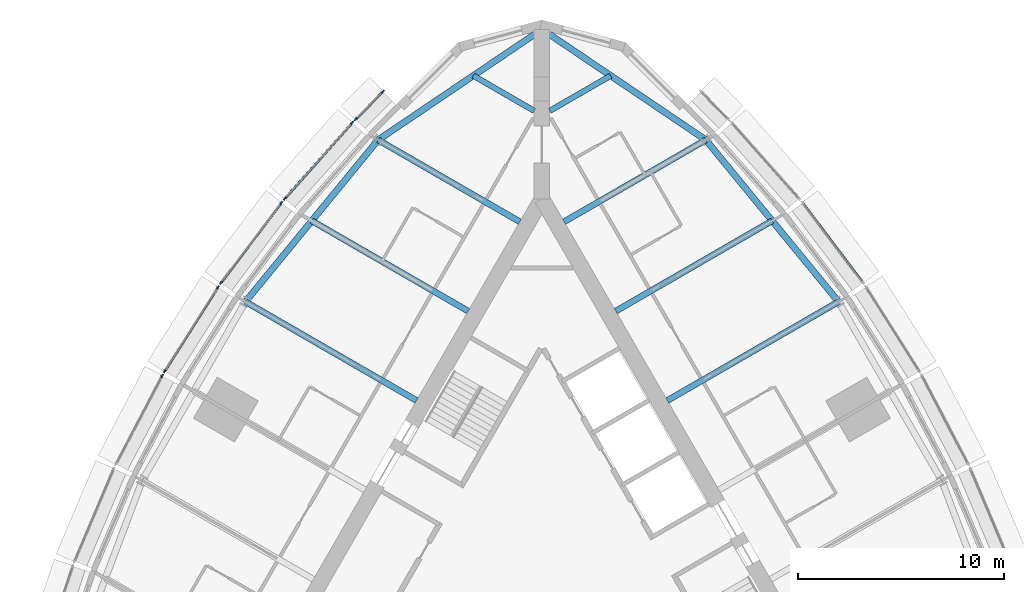
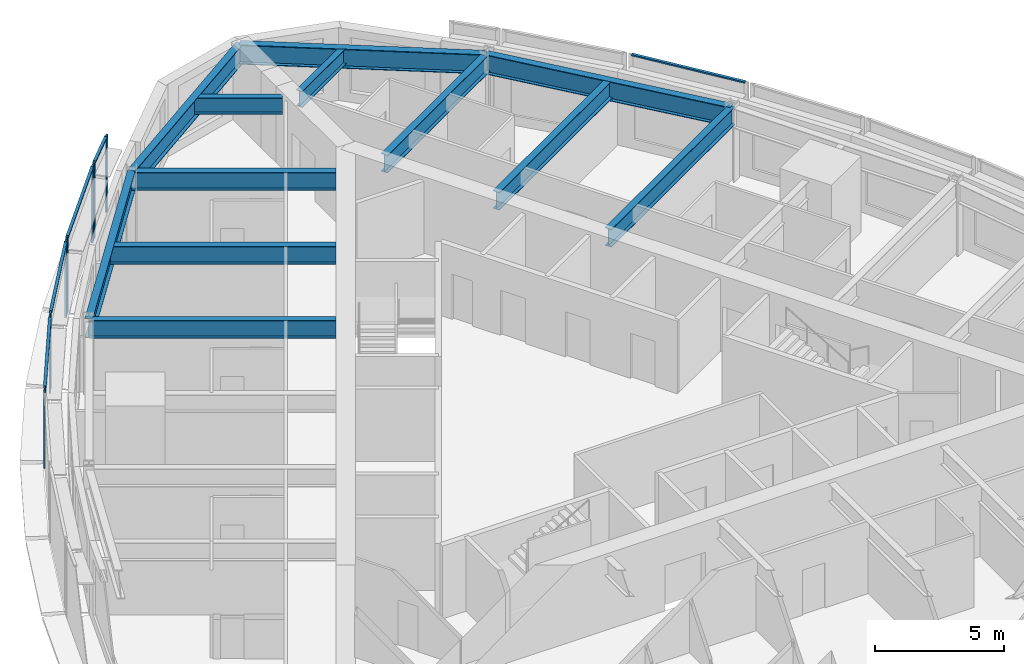
# One storey, part 5 of 15: 14 members, 12 beams, 6 elements without a shape of their own.
"""IFC4 building model written with IfcOpenShell, lengths in metres."""

from ifc_helpers import new_model, si_unit, direction, frame, origin, origin_2d, place, context, subcontext, project, spatial, rectangle, i_section, extrude, material, material_profile, profile_set, type_object, element, aggregate, save


model = new_model("IFC4")

# Units and contexts
model_context = context("Model", 3, precision=1e-05, world=origin(), true_north=direction((0.0, 1.0)))
body_context = subcontext(model_context, "Body", "Model", "MODEL_VIEW")
ifc_project = project(units=[si_unit("LENGTHUNIT", "METRE"), si_unit("AREAUNIT", "SQUARE_METRE"), si_unit("VOLUMEUNIT", "CUBIC_METRE"), si_unit("PLANEANGLEUNIT", "RADIAN"), si_unit("MASSUNIT", "GRAM", prefix="KILO")], contexts=[model_context])

# Site, building, storey
site_placement = place(None, origin())
site = spatial("IfcSite", under=ifc_project, at=site_placement, CompositionType="ELEMENT")
building_placement = place(site_placement, origin())
building = spatial("IfcBuilding", under=site, at=building_placement, Name="Trikona Tower", CompositionType="ELEMENT")
storey_placement = place(building_placement, frame((0.0, 0.0, 222.5)))
storey = spatial("IfcBuildingStorey", under=building, at=storey_placement, Name="L59", CompositionType="ELEMENT", Elevation=222.5)

# Curtain wall, members
ifc_material_1 = material(Name="Aluminium curtain wall system", Category="aluminium")
curtain_wall_type = type_object("IfcCurtainWallType", Name="Curtain wall DS3", PredefinedType="NOTDEFINED", material=ifc_material_1)
curtain_wall_1_placement = place(storey_placement, origin())
curtain_wall_1 = element("IfcCurtainWall", 1, at=curtain_wall_1_placement, inside=storey, type_object=curtain_wall_type, Name="Curtain wall DS3 L59", PredefinedType="NOTDEFINED")
ifc_material_2 = material(Name="Aluminium mullion, pale anodised", Category="aluminium")
ifc_material_profile_1 = material_profile(ifc_material_2, rectangle(XDim=0.070068359375, YDim=0.179931640625, at=origin_2d()), Name="MUL-DS3")
ifc_profile_set_1 = profile_set([ifc_material_profile_1], Name="Aluminium mullion, pale anodised")
member_type_1 = type_object("IfcMemberType", Name="Mullion DS3 70x180", PredefinedType="MULLION", material=ifc_profile_set_1)
member_1_placement = place(storey_placement, frame((-7.7060546875, 24.237548828125, 0.0), z_axis=(0.0, 0.0, 1.0), x_axis=(0.710051900554, -0.704149343903, 0.0)))
member_1 = element("IfcMember", 2, at=member_1_placement, type_object=member_type_1, Name="CW-DS3 mullion 1", PredefinedType="MULLION", context=body_context, shape_type="SweptSolid", body=[
    extrude(rectangle(XDim=0.070068359375, YDim=0.179931640625, at=origin_2d()), origin(), (0.0, 0.0, 1.0), 3.60009765625),
])
member_2_placement = place(storey_placement, frame((-9.028564453125, 22.904052734375, 0.0), z_axis=(0.0, 0.0, 1.0), x_axis=(0.710051900554, -0.704149343903, 0.0)))
member_2 = element("IfcMember", 3, at=member_2_placement, type_object=member_type_1, Name="CW-DS3 mullion 2", PredefinedType="MULLION", context=body_context, shape_type="SweptSolid", body=[
    extrude(rectangle(XDim=0.070068359375, YDim=0.179931640625, at=origin_2d()), origin(), (0.0, 0.0, 1.0), 3.60009765625),
])

curtain_wall_2_placement = place(storey_placement, origin())
curtain_wall_2 = element("IfcCurtainWall", 4, at=curtain_wall_2_placement, inside=storey, type_object=curtain_wall_type, Name="Curtain wall DS3 L59", PredefinedType="NOTDEFINED")
member_3_placement = place(storey_placement, frame((-9.192138671875, 22.729736328125, 0.0), z_axis=(0.0, 0.0, 1.0), x_axis=(0.747402677853, -0.664371309689, 0.0)))
member_3 = element("IfcMember", 5, at=member_3_placement, type_object=member_type_1, Name="CW-DS3 mullion 1", PredefinedType="MULLION", context=body_context, shape_type="SweptSolid", body=[
    extrude(rectangle(XDim=0.070068359375, YDim=0.179931640625, at=origin_2d()), origin(), (0.0, 0.0, 1.0), 3.60009765625),
])
member_4_placement = place(storey_placement, frame((-12.45751953125, 19.056396484375, 0.0), z_axis=(0.0, 0.0, 1.0), x_axis=(0.747402677853, -0.664371309689, 0.0)))
member_4 = element("IfcMember", 6, at=member_4_placement, type_object=member_type_1, Name="CW-DS3 mullion 2", PredefinedType="MULLION", context=body_context, shape_type="SweptSolid", body=[
    extrude(rectangle(XDim=0.070068359375, YDim=0.179931640625, at=origin_2d()), origin(), (0.0, 0.0, 1.0), 3.60009765625),
])

curtain_wall_3_placement = place(storey_placement, origin())
curtain_wall_3 = element("IfcCurtainWall", 7, at=curtain_wall_3_placement, inside=storey, type_object=curtain_wall_type, Name="Curtain wall DS3 L59", PredefinedType="NOTDEFINED")
member_5_placement = place(storey_placement, frame((-12.62353515625, 18.853759765625, 0.0), z_axis=(0.0, 0.0, 1.0), x_axis=(0.798193208724, -0.602401528506, 0.0)))
member_5 = element("IfcMember", 8, at=member_5_placement, type_object=member_type_1, Name="CW-DS3 mullion 1", PredefinedType="MULLION", context=body_context, shape_type="SweptSolid", body=[
    extrude(rectangle(XDim=0.070068359375, YDim=0.179931640625, at=origin_2d()), origin(), (0.0, 0.0, 1.0), 3.60009765625),
])
member_6_placement = place(storey_placement, frame((-15.5439453125, 14.984130859375, 0.0), z_axis=(0.0, 0.0, 1.0), x_axis=(0.798193208724, -0.602401528506, 0.0)))
member_6 = element("IfcMember", 9, at=member_6_placement, type_object=member_type_1, Name="CW-DS3 mullion 2", PredefinedType="MULLION", context=body_context, shape_type="SweptSolid", body=[
    extrude(rectangle(XDim=0.070068359375, YDim=0.179931640625, at=origin_2d()), origin(), (0.0, 0.0, 1.0), 3.60009765625),
])

curtain_wall_4_placement = place(storey_placement, origin())
curtain_wall_4 = element("IfcCurtainWall", 10, at=curtain_wall_4_placement, inside=storey, type_object=curtain_wall_type, Name="Curtain wall DS3 L59", PredefinedType="NOTDEFINED")
member_7_placement = place(storey_placement, frame((-15.69384765625, 14.767578125, 0.0), z_axis=(0.0, 0.0, 1.0), x_axis=(0.844727131858, -0.535197227854, 0.0)))
member_7 = element("IfcMember", 11, at=member_7_placement, type_object=member_type_1, Name="CW-DS3 mullion 1", PredefinedType="MULLION", context=body_context, shape_type="SweptSolid", body=[
    extrude(rectangle(XDim=0.070068359375, YDim=0.179931640625, at=origin_2d()), origin(), (0.0, 0.0, 1.0), 3.60009765625),
])
member_8_placement = place(storey_placement, frame((-18.2705078125, 10.700927734375, 0.0), z_axis=(0.0, 0.0, 1.0), x_axis=(0.844727131858, -0.535197227854, 0.0)))
member_8 = element("IfcMember", 12, at=member_8_placement, type_object=member_type_1, Name="CW-DS3 mullion 2", PredefinedType="MULLION", context=body_context, shape_type="SweptSolid", body=[
    extrude(rectangle(XDim=0.070068359375, YDim=0.179931640625, at=origin_2d()), origin(), (0.0, 0.0, 1.0), 3.60009765625),
])

# Curtain wall, member
curtain_wall_5_placement = place(storey_placement, origin())
curtain_wall_5 = element("IfcCurtainWall", 13, at=curtain_wall_5_placement, inside=storey, type_object=curtain_wall_type, Name="Curtain wall DS3 L59", PredefinedType="NOTDEFINED")
member_9_placement = place(storey_placement, frame((-18.40234375, 10.472412109375, 0.0), z_axis=(0.0, 0.0, 1.0), x_axis=(0.885862390527, -0.463948084434, 0.0)))
member_9 = element("IfcMember", 14, at=member_9_placement, type_object=member_type_1, Name="CW-DS3 mullion 1", PredefinedType="MULLION", context=body_context, shape_type="SweptSolid", body=[
    extrude(rectangle(XDim=0.070068359375, YDim=0.179931640625, at=origin_2d()), origin(), (0.0, 0.0, 1.0), 3.60009765625),
])
aggregate(curtain_wall_5, [member_9])

# Beams
ifc_material_3 = material(Name="Steel ASTM A992 Grade 50", Category="steel")
ifc_material_profile_2 = material_profile(ifc_material_3, i_section(OverallWidth=0.2666015625, OverallDepth=0.76953125, WebThickness=0.015625, FlangeThickness=0.025390625, at=origin_2d()), Name="W30X132")
ifc_profile_set_2 = profile_set([ifc_material_profile_2], Name="Steel ASTM A992 Grade 50")
beam_type_1 = type_object("IfcBeamType", Name="Steel beam W30x132 (wedge)", PredefinedType="BEAM", material=ifc_profile_set_2)
for number, where, z_axis, x_axis, name in (
    (15, (0.375, 23.310546875, 3.05029296875), (0.866027000698, 0.499997234054, 0.0), (-0.499997234054, 0.866027000698, 0.0), "Floor beam L60 F2 u20"),
    (16, (-0.375, 23.310546875, 3.05029296875), (-0.866027000698, 0.499997234054, 0.0), (-0.499997234054, -0.866027000698, 0.0), "Floor beam L60 F3 u-20"),
):
    element("IfcBeam", number, at=place(storey_placement, frame(where, z_axis=z_axis, x_axis=x_axis)), inside=storey, type_object=beam_type_1, Name=name, PredefinedType="BEAM", context=body_context, shape_type="SweptSolid", body=[
        extrude(i_section(OverallWidth=0.2666015625, OverallDepth=0.76953125, WebThickness=0.015625, FlangeThickness=0.025390625, at=origin_2d()), origin(), (0.0, 0.0, 1.0), 3.40966796875),
    ])
ifc_material_4 = material(Name="Steel ASTM A992 Grade 50", Category="steel")
ifc_material_profile_3 = material_profile(ifc_material_4, i_section(OverallWidth=0.2919921875, OverallDepth=0.845703125, WebThickness=0.015380859375, FlangeThickness=0.0244140625, at=origin_2d()), Name="W33X141")
ifc_profile_set_3 = profile_set([ifc_material_profile_3], Name="Steel ASTM A992 Grade 50")
beam_type_2 = type_object("IfcBeamType", Name="Steel beam W33x141 (radial typ)", PredefinedType="BEAM", material=ifc_profile_set_3)
beam_1_placement = place(storey_placement, frame((6.07470703125, 9.28076171875, 3.01220703125), z_axis=(0.866025863714, 0.499999203377, 0.0), x_axis=(-0.499999203377, 0.866025863714, 0.0)))
element("IfcBeam", 17, at=beam_1_placement, inside=storey, type_object=beam_type_2, Name="Floor beam L60 F2 u5", PredefinedType="BEAM", context=body_context, shape_type="SweptSolid", body=[
    extrude(i_section(OverallWidth=0.2919921875, OverallDepth=0.845703125, WebThickness=0.015380859375, FlangeThickness=0.0244140625, at=origin_2d()), origin(), (0.0, 0.0, 1.0), 9.57080078125),
])
beam_2_placement = place(storey_placement, frame((3.57470703125, 13.61083984375, 3.01220703125), z_axis=(0.866013609749, 0.500020427312, 0.0), x_axis=(-0.500020427312, 0.866013609749, 0.0)))
element("IfcBeam", 18, at=beam_2_placement, inside=storey, type_object=beam_type_2, Name="Floor beam L60 F2 u10", PredefinedType="BEAM", context=body_context, shape_type="SweptSolid", body=[
    extrude(i_section(OverallWidth=0.2919921875, OverallDepth=0.845703125, WebThickness=0.015380859375, FlangeThickness=0.0244140625, at=origin_2d()), origin(), (0.0, 0.0, 1.0), 8.747314453125),
])
for number, where, z_axis, x_axis, name in (
    (19, (1.07470703125, 17.94091796875, 3.01220703125), (0.866019853763, 0.500009612796, 0.0), (-0.500009612796, 0.866019853763, 0.0), "Floor beam L60 F2 u15"),
    (20, (-1.07470703125, 17.94091796875, 3.01220703125), (-0.866019853763, 0.500009612796, 0.0), (-0.500009612796, -0.866019853763, 0.0), "Floor beam L60 F3 u-15"),
):
    element("IfcBeam", number, at=place(storey_placement, frame(where, z_axis=z_axis, x_axis=x_axis)), inside=storey, type_object=beam_type_2, Name=name, PredefinedType="BEAM", context=body_context, shape_type="SweptSolid", body=[
        extrude(i_section(OverallWidth=0.2919921875, OverallDepth=0.845703125, WebThickness=0.015380859375, FlangeThickness=0.0244140625, at=origin_2d()), origin(), (0.0, 0.0, 1.0), 7.923583984375),
    ])
beam_3_placement = place(storey_placement, frame((-3.57470703125, 13.61083984375, 3.01220703125), z_axis=(-0.866013609749, 0.500020427312, 0.0), x_axis=(-0.500020427312, -0.866013609749, 0.0)))
element("IfcBeam", 21, at=beam_3_placement, inside=storey, type_object=beam_type_2, Name="Floor beam L60 F3 u-10", PredefinedType="BEAM", context=body_context, shape_type="SweptSolid", body=[
    extrude(i_section(OverallWidth=0.2919921875, OverallDepth=0.845703125, WebThickness=0.015380859375, FlangeThickness=0.0244140625, at=origin_2d()), origin(), (0.0, 0.0, 1.0), 8.747314453125),
])
beam_4_placement = place(storey_placement, frame((-6.07470703125, 9.28076171875, 3.01220703125), z_axis=(-0.866025863714, 0.499999203377, 0.0), x_axis=(-0.499999203377, -0.866025863714, 0.0)))
element("IfcBeam", 22, at=beam_4_placement, inside=storey, type_object=beam_type_2, Name="Floor beam L60 F3 u-5", PredefinedType="BEAM", context=body_context, shape_type="SweptSolid", body=[
    extrude(i_section(OverallWidth=0.2919921875, OverallDepth=0.845703125, WebThickness=0.015380859375, FlangeThickness=0.0244140625, at=origin_2d()), origin(), (0.0, 0.0, 1.0), 9.57080078125),
])
ifc_material_5 = material(Name="Steel ASTM A992 Grade 50", Category="steel")
ifc_material_profile_4 = material_profile(ifc_material_5, i_section(OverallWidth=0.307373046875, OverallDepth=0.922119140625, WebThickness=0.018310546875, FlangeThickness=0.030029296875, at=origin_2d()), Name="W36X182")
ifc_profile_set_4 = profile_set([ifc_material_profile_4], Name="Steel ASTM A992 Grade 50")
beam_type_3 = type_object("IfcBeamType", Name="Steel beam W36x182 (spandrel mid)", PredefinedType="SPANDREL", material=ifc_profile_set_4)
beam_5_placement = place(storey_placement, frame((14.36328125, 14.066162109375, 2.97412109375), z_axis=(-0.634105803308, 0.77324629337, 0.0), x_axis=(-0.77324629337, -0.634105803308, 0.0)))
element("IfcBeam", 23, at=beam_5_placement, inside=storey, type_object=beam_type_3, Name="Spandrel beam L60 F2-4", PredefinedType="SPANDREL", context=body_context, shape_type="SweptSolid", body=[
    extrude(i_section(OverallWidth=0.307373046875, OverallDepth=0.922119140625, WebThickness=0.018310546875, FlangeThickness=0.030029296875, at=origin_2d()), origin(), (0.0, 0.0, 1.0), 10.134765625),
])
for number, where, z_axis, x_axis, name in (
    (24, (7.936767578125, 21.90283203125, 2.97412109375), (-0.828725418029, 0.55965541319, 0.0), (-0.55965541319, -0.828725418029, 0.0), "Spandrel beam L60 F2-5"),
    (25, (0.0, 27.2626953125, 2.97412109375), (-0.828725418029, -0.55965541319, 0.0), (0.55965541319, -0.828725418029, 0.0), "Spandrel beam L60 F3-1"),
):
    element("IfcBeam", number, at=place(storey_placement, frame(where, z_axis=z_axis, x_axis=x_axis)), inside=storey, type_object=beam_type_3, Name=name, PredefinedType="SPANDREL", context=body_context, shape_type="SweptSolid", body=[
        extrude(i_section(OverallWidth=0.307373046875, OverallDepth=0.922119140625, WebThickness=0.018310546875, FlangeThickness=0.030029296875, at=origin_2d()), origin(), (0.0, 0.0, 1.0), 9.5771484375),
    ])
beam_6_placement = place(storey_placement, frame((-7.936767578125, 21.90283203125, 2.97412109375), z_axis=(-0.634105803308, -0.77324629337, 0.0), x_axis=(0.77324629337, -0.634105803308, 0.0)))
element("IfcBeam", 26, at=beam_6_placement, inside=storey, type_object=beam_type_3, Name="Spandrel beam L60 F3-2", PredefinedType="SPANDREL", context=body_context, shape_type="SweptSolid", body=[
    extrude(i_section(OverallWidth=0.307373046875, OverallDepth=0.922119140625, WebThickness=0.018310546875, FlangeThickness=0.030029296875, at=origin_2d()), origin(), (0.0, 0.0, 1.0), 10.134765625),
])

# Curtain wall, member
curtain_wall_6_placement = place(storey_placement, origin())
curtain_wall_6 = element("IfcCurtainWall", 27, at=curtain_wall_6_placement, inside=storey, type_object=curtain_wall_type, Name="Curtain wall DS3 L59", PredefinedType="NOTDEFINED")
ifc_material_6 = material(Name="Aluminium transom, pale anodised", Category="aluminium")
ifc_material_profile_5 = material_profile(ifc_material_6, rectangle(XDim=0.1201171875, YDim=0.070068359375, at=origin_2d()), Name="TRN-DS3")
ifc_profile_set_5 = profile_set([ifc_material_profile_5], Name="Aluminium transom, pale anodised")
member_type_2 = type_object("IfcMemberType", Name="Transom DS3 70x120", PredefinedType="USERDEFINED", material=ifc_profile_set_5)
member_10_placement = place(storey_placement, frame((15.52294921875, 15.011962890625, 3.56494140625), z_axis=(-0.602400763927, 0.798193785756, 0.0), x_axis=(-0.798193785756, -0.602400763927, 0.0)))
member_10 = element("IfcMember", 28, at=member_10_placement, type_object=member_type_2, Name="CW-DS3 transom 1.1", ObjectType="TRANSOM", PredefinedType="USERDEFINED", context=body_context, shape_type="SweptSolid", body=[
    extrude(rectangle(XDim=0.1201171875, YDim=0.070068359375, at=origin_2d()), origin(), (0.0, 0.0, 1.0), 4.7783203125),
])
aggregate(curtain_wall_6, [member_10])

# Member
member_11_placement = place(storey_placement, frame((-7.73046875, 24.212890625, 3.56494140625), z_axis=(-0.704130668076, -0.710070420645, 0.0), x_axis=(0.710070420645, -0.704130668076, 0.0)))
member_11 = element("IfcMember", 29, at=member_11_placement, type_object=member_type_2, Name="CW-DS3 transom 1.1", ObjectType="TRANSOM", PredefinedType="USERDEFINED", context=body_context, shape_type="SweptSolid", body=[
    extrude(rectangle(XDim=0.1201171875, YDim=0.070068359375, at=origin_2d()), origin(), (0.0, 0.0, 1.0), 1.80859375),
])

aggregate(curtain_wall_1, [member_1, member_2, member_11])

member_12_placement = place(storey_placement, frame((-9.21533203125, 22.70361328125, 3.56494140625), z_axis=(-0.66436383883, -0.747409318684, 0.0), x_axis=(0.747409318684, -0.66436383883, 0.0)))
member_12 = element("IfcMember", 30, at=member_12_placement, type_object=member_type_2, Name="CW-DS3 transom 1.1", ObjectType="TRANSOM", PredefinedType="USERDEFINED", context=body_context, shape_type="SweptSolid", body=[
    extrude(rectangle(XDim=0.1201171875, YDim=0.070068359375, at=origin_2d()), origin(), (0.0, 0.0, 1.0), 4.844970703125),
])

aggregate(curtain_wall_2, [member_3, member_4, member_12])

member_13_placement = place(storey_placement, frame((-12.64453125, 18.825927734375, 3.56494140625), z_axis=(-0.602400763927, -0.798193785756, 0.0), x_axis=(0.798193785756, -0.602400763927, 0.0)))
member_13 = element("IfcMember", 31, at=member_13_placement, type_object=member_type_2, Name="CW-DS3 transom 1.1", ObjectType="TRANSOM", PredefinedType="USERDEFINED", context=body_context, shape_type="SweptSolid", body=[
    extrude(rectangle(XDim=0.1201171875, YDim=0.070068359375, at=origin_2d()), origin(), (0.0, 0.0, 1.0), 4.7783203125),
])

aggregate(curtain_wall_3, [member_5, member_6, member_13])

member_14_placement = place(storey_placement, frame((-15.712646484375, 14.738037109375, 3.56494140625), z_axis=(-0.535192866729, -0.844729894938, 0.0), x_axis=(0.844729894938, -0.535192866729, 0.0)))
member_14 = element("IfcMember", 32, at=member_14_placement, type_object=member_type_2, Name="CW-DS3 transom 1.1", ObjectType="TRANSOM", PredefinedType="USERDEFINED", context=body_context, shape_type="SweptSolid", body=[
    extrude(rectangle(XDim=0.1201171875, YDim=0.070068359375, at=origin_2d()), origin(), (0.0, 0.0, 1.0), 4.744140625),
])

aggregate(curtain_wall_4, [member_7, member_8, member_14])

save(model, "model.ifc")
